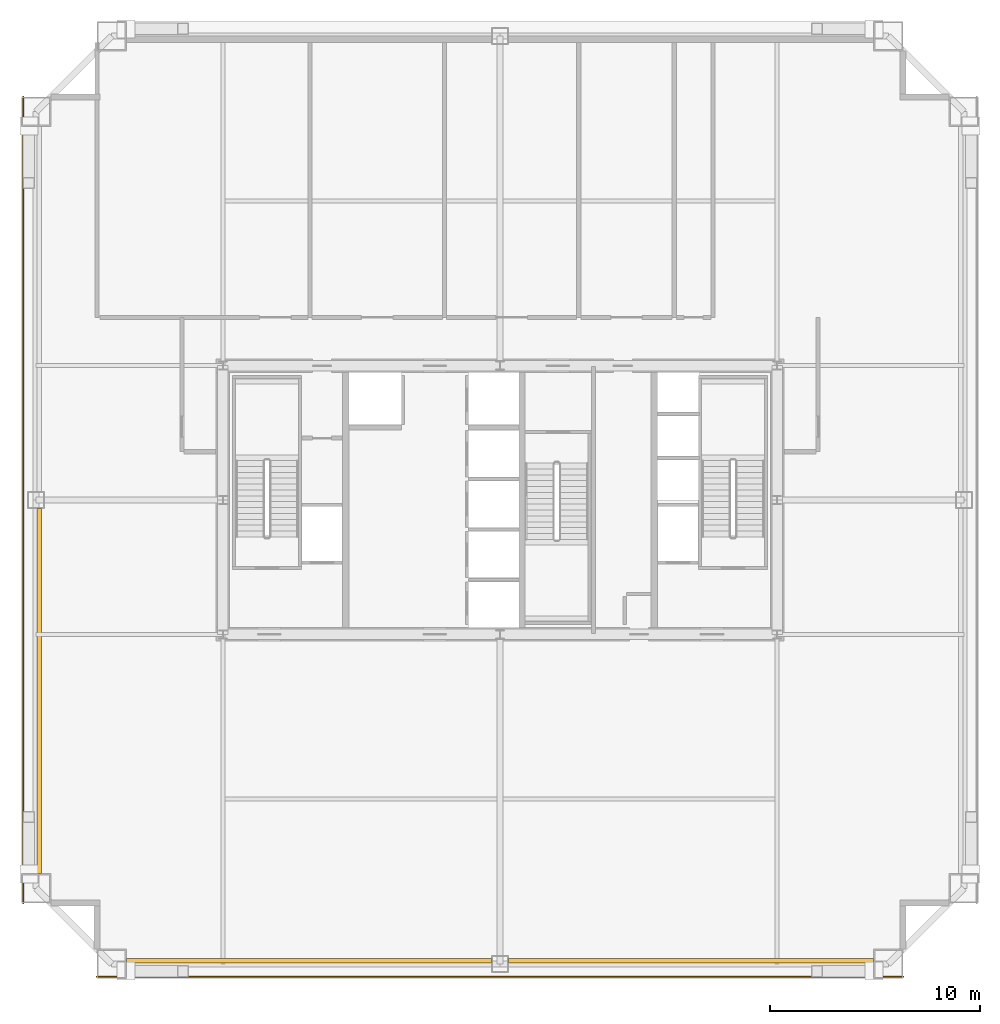
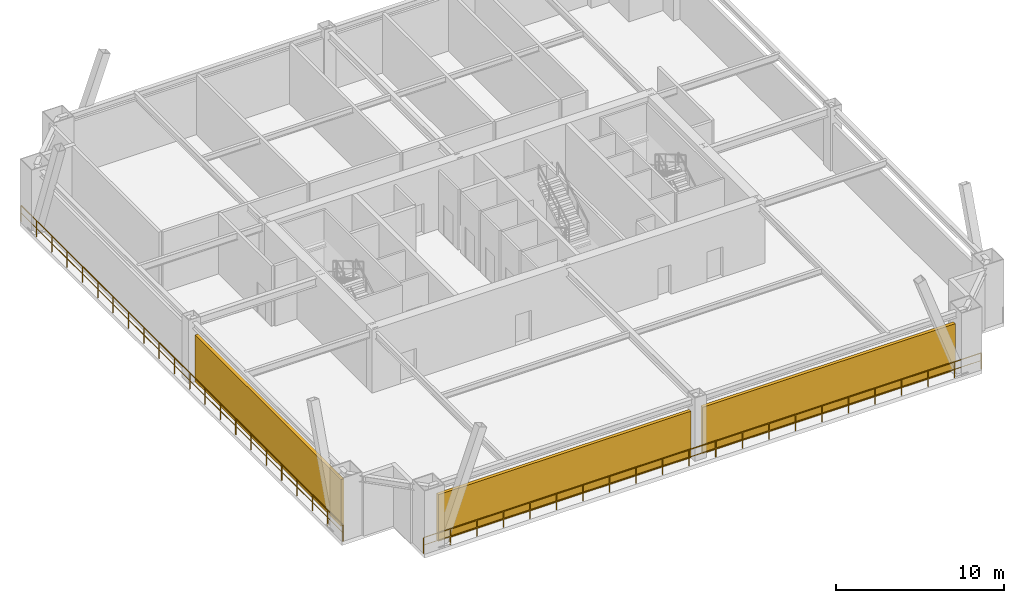
# One storey, part 7 of 9: 3 shading devices, 2 railings.
"""IFC4 building model written with IfcOpenShell, lengths in metres."""

from ifc_helpers import new_model, si_unit, direction, frame, origin, origin_2d, place, context, subcontext, project, spatial, rectangle, extrude, source, transform, mapped, material, layer, layer_set, type_object, element, save


model = new_model("IFC4")

# Units and contexts
model_context = context("Model", 3, precision=1e-05, world=origin(), true_north=direction((0.0, 1.0)))
body_context = subcontext(model_context, "Body", "Model", "MODEL_VIEW")
ifc_project = project(units=[si_unit("LENGTHUNIT", "METRE"), si_unit("AREAUNIT", "SQUARE_METRE"), si_unit("VOLUMEUNIT", "CUBIC_METRE"), si_unit("PLANEANGLEUNIT", "RADIAN"), si_unit("MASSUNIT", "GRAM", prefix="KILO"), si_unit("THERMODYNAMICTEMPERATUREUNIT", "KELVIN"), si_unit("POWERUNIT", "WATT")], contexts=[model_context])

# Site, building, storey
site_placement = place(None, origin())
site = spatial("IfcSite", under=ifc_project, at=site_placement, CompositionType="ELEMENT")
building_placement = place(site_placement, origin())
building = spatial("IfcBuilding", under=site, at=building_placement, Name="Yuzanri Waterfront Tower", CompositionType="ELEMENT")
storey_placement = place(building_placement, frame((0.0, 0.0, 176.39990234375)))
storey = spatial("IfcBuildingStorey", under=building, at=storey_placement, Name="L46", CompositionType="ELEMENT", Elevation=176.39990234375)

# Shading devices
ifc_material_1 = material(Name="Anodized Architectural Bronze", Category="metal")
ifc_layer_1 = layer(ifc_material_1, 0.219970703125)
ifc_layer_set_1 = layer_set([ifc_layer_1], Name="Anodized Architectural Bronze")
shading_device_type = type_object("IfcShadingDeviceType", Name="Anodized Bronze Refuge Wind-Diffusing Louvre Screen 220", PredefinedType="USERDEFINED", material=ifc_layer_set_1)
shared_shape_1 = source(origin(), body_context, "Body", "SweptSolid", [
    extrude(rectangle(XDim=17.39990234375, YDim=0.219970703125, at=origin_2d()), origin(), (0.0, 0.0, 1.0), 3.39990234375),
])
for number, where, z_axis, x_axis, name in (
    (1, (27.89990234375, 3.85009765625, 0.000244140625), (0.0, 0.0, 1.0), (1.0, 0.0, 0.0), "L46 Wind-Diffusing Refuge Louvre SL"),
    (2, (46.10009765625, 3.85009765625, 0.000244140625), (0.0, 0.0, 1.0), (1.0, 0.0, 0.0), "L46 Wind-Diffusing Refuge Louvre SR"),
):
    element("IfcShadingDevice", number, at=place(storey_placement, frame(where, z_axis=z_axis, x_axis=x_axis)), inside=storey, type_object=shading_device_type, Name=name, ObjectType="LOUVRE", PredefinedType="USERDEFINED", context=body_context, shape_type="MappedRepresentation", body=[
        mapped(shared_shape_1, transform((0.0, 0.0, 0.0), scale=1.0)),
    ])
shared_shape_2 = source(origin(), body_context, "Body", "SweptSolid", [
    extrude(rectangle(XDim=0.219970703125, YDim=17.39990234375, at=origin_2d()), origin(), (0.0, 0.0, 1.0), 3.39990234375),
])
shading_device_placement = place(storey_placement, frame((15.050048828125, 16.699951171875, 0.000244140625), z_axis=(0.0, 0.0, 1.0), x_axis=(1.0, 0.0, 0.0)))
element("IfcShadingDevice", 3, at=shading_device_placement, inside=storey, type_object=shading_device_type, Name="L46 Wind-Diffusing Refuge Louvre WL", ObjectType="LOUVRE", PredefinedType="USERDEFINED", context=body_context, shape_type="MappedRepresentation", body=[
    mapped(shared_shape_2, transform((0.0, 0.0, 0.0), scale=1.0)),
])

# Railings
ifc_material_2 = material(Name="Anodized Architectural Bronze", Category="metal")
ifc_layer_2 = layer(ifc_material_2, 0.080078125)
ifc_layer_set_2 = layer_set([ifc_layer_2], Name="Anodized Architectural Bronze")
railing_type = type_object("IfcRailingType", Name="Laminated Glass and Bronze Balcony Guardrail 1200", PredefinedType="BALUSTRADE", material=ifc_layer_set_2)
shared_shape_3 = source(origin(), body_context, "Body", "SweptSolid", [
    extrude(rectangle(XDim=0.050048828125, YDim=0.050048828125, at=origin_2d()), frame((0.0, 0.0, 1.1748046875), z_axis=(1.0, 0.0, 0.0), x_axis=(0.0, 1.0, 0.0)), (0.0, 0.0, 1.0), 38.39990234375),
    extrude(rectangle(XDim=0.035888671875, YDim=0.030029296875, at=origin_2d()), frame((0.0, 0.0, 0.6240234375), z_axis=(1.0, 0.0, 0.0), x_axis=(0.0, 1.0, 0.0)), (0.0, 0.0, 1.0), 38.39990234375),
    extrude(rectangle(XDim=0.0458984375, YDim=0.0458984375, at=origin_2d()), origin(), (0.0, 0.0, 1.0), 1.14990234375),
    extrude(rectangle(XDim=0.0458984375, YDim=0.0458984375, at=origin_2d()), frame((1.82861328125, 0.0, 0.0)), (0.0, 0.0, 1.0), 1.14990234375),
    extrude(rectangle(XDim=0.0458984375, YDim=0.0458984375, at=origin_2d()), frame((3.6572265625, 0.0, 0.0)), (0.0, 0.0, 1.0), 1.14990234375),
    extrude(rectangle(XDim=0.0458984375, YDim=0.0458984375, at=origin_2d()), frame((5.485595703125, 0.0, 0.0)), (0.0, 0.0, 1.0), 1.14990234375),
    extrude(rectangle(XDim=0.0458984375, YDim=0.0458984375, at=origin_2d()), frame((7.314208984375, 0.0, 0.0)), (0.0, 0.0, 1.0), 1.14990234375),
    extrude(rectangle(XDim=0.0458984375, YDim=0.0458984375, at=origin_2d()), frame((9.142822265625, 0.0, 0.0)), (0.0, 0.0, 1.0), 1.14990234375),
    extrude(rectangle(XDim=0.0458984375, YDim=0.0458984375, at=origin_2d()), frame((10.971435546875, 0.0, 0.0)), (0.0, 0.0, 1.0), 1.14990234375),
    extrude(rectangle(XDim=0.0458984375, YDim=0.0458984375, at=origin_2d()), frame((12.800048828125, 0.0, 0.0)), (0.0, 0.0, 1.0), 1.14990234375),
    extrude(rectangle(XDim=0.0458984375, YDim=0.0458984375, at=origin_2d()), frame((14.62841796875, 0.0, 0.0)), (0.0, 0.0, 1.0), 1.14990234375),
    extrude(rectangle(XDim=0.0458984375, YDim=0.0458984375, at=origin_2d()), frame((16.45703125, 0.0, 0.0)), (0.0, 0.0, 1.0), 1.14990234375),
    extrude(rectangle(XDim=0.0458984375, YDim=0.0458984375, at=origin_2d()), frame((18.28564453125, 0.0, 0.0)), (0.0, 0.0, 1.0), 1.14990234375),
    extrude(rectangle(XDim=0.0458984375, YDim=0.0458984375, at=origin_2d()), frame((20.1142578125, 0.0, 0.0)), (0.0, 0.0, 1.0), 1.14990234375),
    extrude(rectangle(XDim=0.0458984375, YDim=0.0458984375, at=origin_2d()), frame((21.94287109375, 0.0, 0.0)), (0.0, 0.0, 1.0), 1.14990234375),
    extrude(rectangle(XDim=0.0458984375, YDim=0.0458984375, at=origin_2d()), frame((23.771484375, 0.0, 0.0)), (0.0, 0.0, 1.0), 1.14990234375),
    extrude(rectangle(XDim=0.0458984375, YDim=0.0458984375, at=origin_2d()), frame((25.599853515625, 0.0, 0.0)), (0.0, 0.0, 1.0), 1.14990234375),
    extrude(rectangle(XDim=0.0458984375, YDim=0.0458984375, at=origin_2d()), frame((27.428466796875, 0.0, 0.0)), (0.0, 0.0, 1.0), 1.14990234375),
    extrude(rectangle(XDim=0.0458984375, YDim=0.0458984375, at=origin_2d()), frame((29.257080078125, 0.0, 0.0)), (0.0, 0.0, 1.0), 1.14990234375),
    extrude(rectangle(XDim=0.0458984375, YDim=0.0458984375, at=origin_2d()), frame((31.085693359375, 0.0, 0.0)), (0.0, 0.0, 1.0), 1.14990234375),
    extrude(rectangle(XDim=0.0458984375, YDim=0.0458984375, at=origin_2d()), frame((32.914306640625, 0.0, 0.0)), (0.0, 0.0, 1.0), 1.14990234375),
    extrude(rectangle(XDim=0.0458984375, YDim=0.0458984375, at=origin_2d()), frame((34.74267578125, 0.0, 0.0)), (0.0, 0.0, 1.0), 1.14990234375),
    extrude(rectangle(XDim=0.0458984375, YDim=0.0458984375, at=origin_2d()), frame((36.5712890625, 0.0, 0.0)), (0.0, 0.0, 1.0), 1.14990234375),
    extrude(rectangle(XDim=0.0458984375, YDim=0.0458984375, at=origin_2d()), frame((38.39990234375, 0.0, 0.0)), (0.0, 0.0, 1.0), 1.14990234375),
])
railing_1_placement = place(storey_placement, frame((17.800048828125, 3.080078125, 0.0)))
element("IfcRailing", 4, at=railing_1_placement, inside=storey, type_object=railing_type, Name="L46 South Refuge Edge Guard", PredefinedType="BALUSTRADE", context=body_context, shape_type="MappedRepresentation", body=[
    mapped(shared_shape_3, transform((0.0, 0.0, 0.0), scale=1.0)),
])
shared_shape_4 = source(origin(), body_context, "Body", "SweptSolid", [
    extrude(rectangle(XDim=0.050048828125, YDim=0.050048828125, at=origin_2d()), frame((0.0, 0.0, 1.1748046875), z_axis=(0.0, 1.0, 0.0), x_axis=(-1.0, 0.0, 0.0)), (0.0, 0.0, 1.0), 38.39990234375),
    extrude(rectangle(XDim=0.035888671875, YDim=0.030029296875, at=origin_2d()), frame((0.0, 0.0, 0.6240234375), z_axis=(0.0, 1.0, 0.0), x_axis=(-1.0, 0.0, 0.0)), (0.0, 0.0, 1.0), 38.39990234375),
    extrude(rectangle(XDim=0.0458984375, YDim=0.0458984375, at=origin_2d()), origin(), (0.0, 0.0, 1.0), 1.14990234375),
    extrude(rectangle(XDim=0.0458984375, YDim=0.0458984375, at=origin_2d()), frame((0.0, 1.82861328125, 0.0)), (0.0, 0.0, 1.0), 1.14990234375),
    extrude(rectangle(XDim=0.0458984375, YDim=0.0458984375, at=origin_2d()), frame((0.0, 3.6572265625, 0.0)), (0.0, 0.0, 1.0), 1.14990234375),
    extrude(rectangle(XDim=0.0458984375, YDim=0.0458984375, at=origin_2d()), frame((0.0, 5.485595703125, 0.0)), (0.0, 0.0, 1.0), 1.14990234375),
    extrude(rectangle(XDim=0.0458984375, YDim=0.0458984375, at=origin_2d()), frame((0.0, 7.314208984375, 0.0)), (0.0, 0.0, 1.0), 1.14990234375),
    extrude(rectangle(XDim=0.0458984375, YDim=0.0458984375, at=origin_2d()), frame((0.0, 9.142822265625, 0.0)), (0.0, 0.0, 1.0), 1.14990234375),
    extrude(rectangle(XDim=0.0458984375, YDim=0.0458984375, at=origin_2d()), frame((0.0, 10.971435546875, 0.0)), (0.0, 0.0, 1.0), 1.14990234375),
    extrude(rectangle(XDim=0.0458984375, YDim=0.0458984375, at=origin_2d()), frame((0.0, 12.800048828125, 0.0)), (0.0, 0.0, 1.0), 1.14990234375),
    extrude(rectangle(XDim=0.0458984375, YDim=0.0458984375, at=origin_2d()), frame((0.0, 14.62841796875, 0.0)), (0.0, 0.0, 1.0), 1.14990234375),
    extrude(rectangle(XDim=0.0458984375, YDim=0.0458984375, at=origin_2d()), frame((0.0, 16.45703125, 0.0)), (0.0, 0.0, 1.0), 1.14990234375),
    extrude(rectangle(XDim=0.0458984375, YDim=0.0458984375, at=origin_2d()), frame((0.0, 18.28564453125, 0.0)), (0.0, 0.0, 1.0), 1.14990234375),
    extrude(rectangle(XDim=0.0458984375, YDim=0.0458984375, at=origin_2d()), frame((0.0, 20.1142578125, 0.0)), (0.0, 0.0, 1.0), 1.14990234375),
    extrude(rectangle(XDim=0.0458984375, YDim=0.0458984375, at=origin_2d()), frame((0.0, 21.94287109375, 0.0)), (0.0, 0.0, 1.0), 1.14990234375),
    extrude(rectangle(XDim=0.0458984375, YDim=0.0458984375, at=origin_2d()), frame((0.0, 23.771484375, 0.0)), (0.0, 0.0, 1.0), 1.14990234375),
    extrude(rectangle(XDim=0.0458984375, YDim=0.0458984375, at=origin_2d()), frame((0.0, 25.599853515625, 0.0)), (0.0, 0.0, 1.0), 1.14990234375),
    extrude(rectangle(XDim=0.0458984375, YDim=0.0458984375, at=origin_2d()), frame((0.0, 27.428466796875, 0.0)), (0.0, 0.0, 1.0), 1.14990234375),
    extrude(rectangle(XDim=0.0458984375, YDim=0.0458984375, at=origin_2d()), frame((0.0, 29.257080078125, 0.0)), (0.0, 0.0, 1.0), 1.14990234375),
    extrude(rectangle(XDim=0.0458984375, YDim=0.0458984375, at=origin_2d()), frame((0.0, 31.085693359375, 0.0)), (0.0, 0.0, 1.0), 1.14990234375),
    extrude(rectangle(XDim=0.0458984375, YDim=0.0458984375, at=origin_2d()), frame((0.0, 32.914306640625, 0.0)), (0.0, 0.0, 1.0), 1.14990234375),
    extrude(rectangle(XDim=0.0458984375, YDim=0.0458984375, at=origin_2d()), frame((0.0, 34.74267578125, 0.0)), (0.0, 0.0, 1.0), 1.14990234375),
    extrude(rectangle(XDim=0.0458984375, YDim=0.0458984375, at=origin_2d()), frame((0.0, 36.5712890625, 0.0)), (0.0, 0.0, 1.0), 1.14990234375),
    extrude(rectangle(XDim=0.0458984375, YDim=0.0458984375, at=origin_2d()), frame((0.0, 38.39990234375, 0.0)), (0.0, 0.0, 1.0), 1.14990234375),
])
railing_2_placement = place(storey_placement, frame((14.280029296875, 6.60009765625, 0.0)))
element("IfcRailing", 5, at=railing_2_placement, inside=storey, type_object=railing_type, Name="L46 West Refuge Edge Guard", PredefinedType="BALUSTRADE", context=body_context, shape_type="MappedRepresentation", body=[
    mapped(shared_shape_4, transform((0.0, 0.0, 0.0), scale=1.0)),
])

save(model, "model.ifc")
